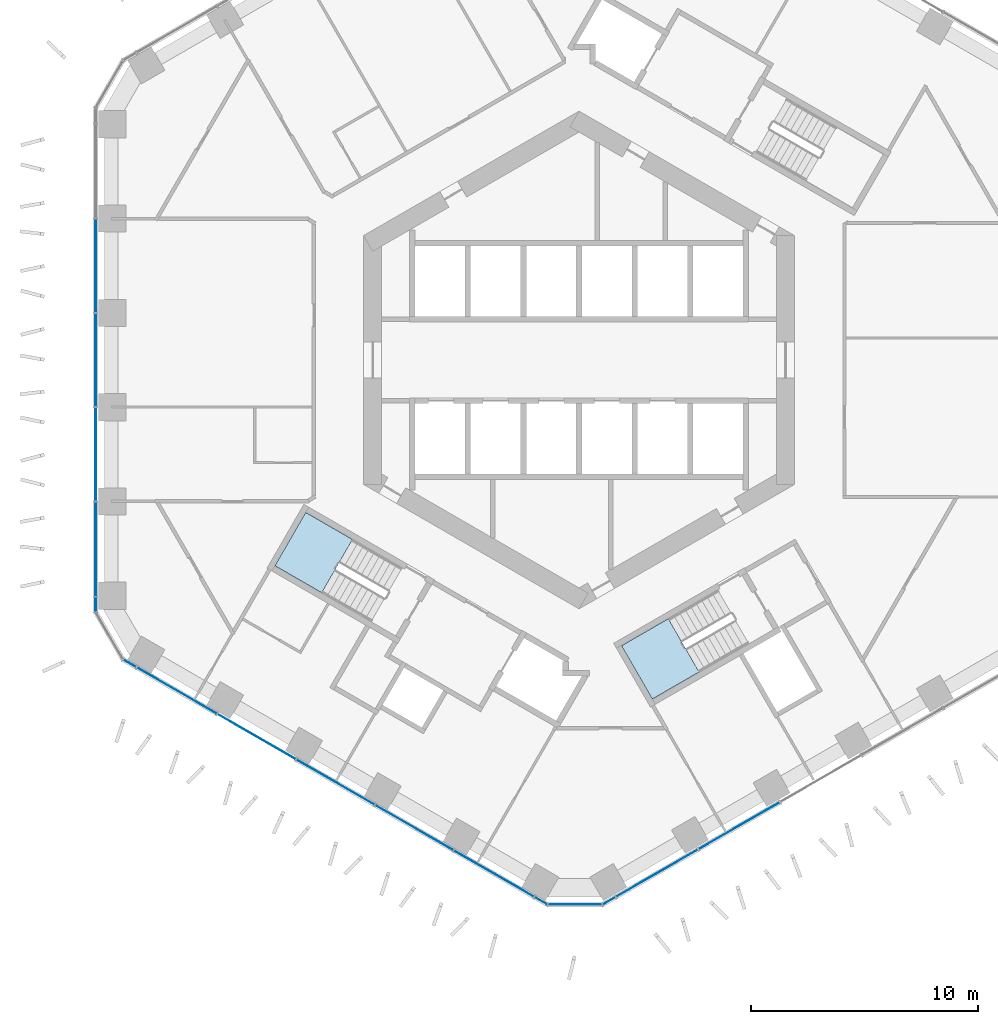
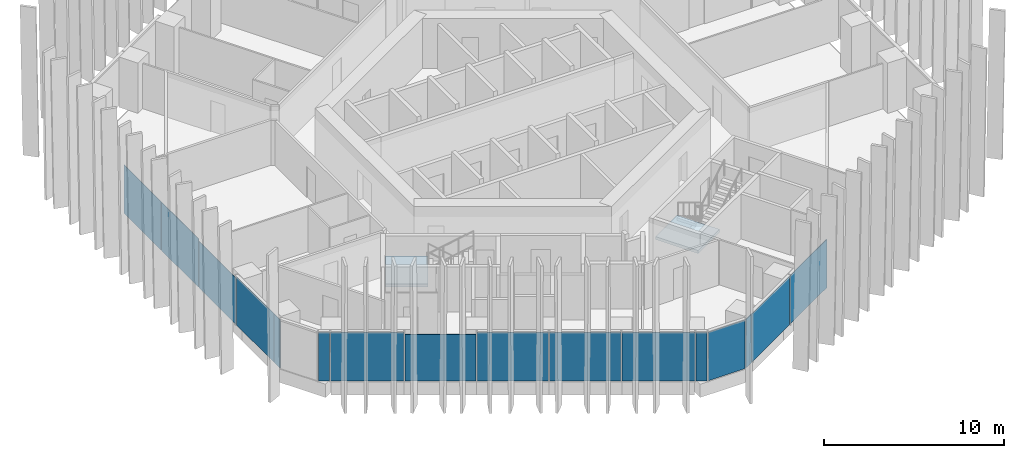
# One storey, part 9 of 20: 16 plates, 2 slabs, 7 elements without a shape of their own.
"""IFC4 building model written with IfcOpenShell, lengths in metres."""

from ifc_helpers import new_model, si_unit, direction, frame, origin, origin_2d, place, context, subcontext, project, spatial, polyline, rectangle, outline, extrude, material, layer, layer_set, type_object, element, aggregate, save


model = new_model("IFC4")

# Units and contexts
model_context = context("Model", 3, precision=1e-05, world=origin(), true_north=direction((0.0, 1.0)))
body_context = subcontext(model_context, "Body", "Model", "MODEL_VIEW")
ifc_project = project(units=[si_unit("LENGTHUNIT", "METRE"), si_unit("AREAUNIT", "SQUARE_METRE"), si_unit("VOLUMEUNIT", "CUBIC_METRE"), si_unit("PLANEANGLEUNIT", "RADIAN"), si_unit("MASSUNIT", "GRAM", prefix="KILO")], contexts=[model_context])

# Site, building, storey
site_placement = place(None, origin())
site = spatial("IfcSite", under=ifc_project, at=site_placement, CompositionType="ELEMENT")
building_placement = place(site_placement, origin())
building = spatial("IfcBuilding", under=site, at=building_placement, Name="Ayvan Gate Tower", CompositionType="ELEMENT")
storey_placement = place(building_placement, frame((0.0, 0.0, 35.699951171875)))
storey = spatial("IfcBuildingStorey", under=building, at=storey_placement, Name="L08", CompositionType="ELEMENT", Elevation=35.699951171875)

# Stair, slab
ifc_material_1 = material(Name="Concrete C40/50", Category="concrete")
stair_type = type_object("IfcStairType", Name="ST-EXIT", PredefinedType="HALF_TURN_STAIR", material=ifc_material_1)
stair_1_placement = place(storey_placement, origin())
stair_1 = element("IfcStair", 1, at=stair_1_placement, inside=storey, type_object=stair_type, Name="L08 Exit Stair S2", PredefinedType="HALF_TURN_STAIR")
ifc_layer_1 = layer(ifc_material_1, 0.199951171875)
ifc_layer_set_1 = layer_set([ifc_layer_1], Name="Concrete C40/50")
slab_type = type_object("IfcSlabType", Name="SL-LANDING-200", PredefinedType="LANDING", material=ifc_layer_set_1)
slab_1_placement = place(storey_placement, frame((0.0, 0.0, 1.5)))
slab_1 = element("IfcSlab", 2, at=slab_1_placement, type_object=slab_type, Name="STS2 landing 1", PredefinedType="LANDING", context=body_context, shape_type="SweptSolid", body=[
    extrude(outline(polyline([(-9.988525390625, -7.91064453125), (-12.049560546875, -6.720458984375), (-13.404541015625, -9.0673828125), (-11.343505859375, -10.257568359375), (-9.988525390625, -7.91064453125)])), origin(), (0.0, 0.0, 1.0), 0.199951171875),
])
aggregate(stair_1, [slab_1])

stair_2_placement = place(storey_placement, origin())
stair_2 = element("IfcStair", 3, at=stair_2_placement, inside=storey, type_object=stair_type, Name="L08 Exit Stair S3", PredefinedType="HALF_TURN_STAIR")
slab_2_placement = place(storey_placement, frame((0.0, 0.0, 1.5)))
slab_2 = element("IfcSlab", 4, at=slab_2_placement, type_object=slab_type, Name="STS3 landing 1", PredefinedType="LANDING", context=body_context, shape_type="SweptSolid", body=[
    extrude(outline(polyline([(3.93505859375, -11.405517578125), (1.873779296875, -12.595458984375), (3.228759765625, -14.9423828125), (5.2900390625, -13.75244140625), (3.93505859375, -11.405517578125)])), origin(), (0.0, 0.0, 1.0), 0.199951171875),
])
aggregate(stair_2, [slab_2])

# Curtain wall, plates
ifc_material_2 = material(Name="Bronze anodised aluminium", Category="aluminium")
ifc_layer_2 = layer(ifc_material_2, 0.199951171875)
ifc_layer_set_2 = layer_set([ifc_layer_2], Name="Bronze anodised aluminium")
curtain_wall_type_1 = type_object("IfcCurtainWallType", Name="Stick curtain wall CW-1", PredefinedType="NOTDEFINED", material=ifc_layer_set_2)
curtain_wall_1_placement = place(storey_placement, origin())
curtain_wall_1 = element("IfcCurtainWall", 5, at=curtain_wall_1_placement, inside=storey, type_object=curtain_wall_type_1, Name="Stick curtain wall CW-1 L08", PredefinedType="NOTDEFINED")
ifc_material_3 = material(Name="Clear low-iron laminated glass", Category="glass")
ifc_layer_3 = layer(ifc_material_3, 0.028076171875)
ifc_layer_set_3 = layer_set([ifc_layer_3], Name="Clear low-iron laminated glass")
plate_type_1 = type_object("IfcPlateType", Name="Stick curtain wall CW-1 glass panel", PredefinedType="CURTAIN_PANEL", material=ifc_layer_set_3)
plate_1_placement = place(storey_placement, frame((-21.306640625, 4.155517578125, 0.0), z_axis=(0.0, 0.0, 1.0), x_axis=(0.0, -1.0, 0.0)))
plate_1 = element("IfcPlate", 6, at=plate_1_placement, type_object=plate_type_1, Name="CW-1 glass panel 2", PredefinedType="CURTAIN_PANEL", context=body_context, shape_type="SweptSolid", body=[
    extrude(rectangle(XDim=4.094970703125, YDim=0.028076171875, at=origin_2d()), origin(), (0.0, 0.0, 1.0), 3.280029296875),
])
plate_2_placement = place(storey_placement, frame((-21.306640625, 0.00048828125, 0.0), z_axis=(0.0, 0.0, 1.0), x_axis=(0.0, -1.0, 0.0)))
plate_2 = element("IfcPlate", 7, at=plate_2_placement, type_object=plate_type_1, Name="CW-1 glass panel 3", PredefinedType="CURTAIN_PANEL", context=body_context, shape_type="SweptSolid", body=[
    extrude(rectangle(XDim=4.094970703125, YDim=0.028076171875, at=origin_2d()), origin(), (0.0, 0.0, 1.0), 3.280029296875),
])
plate_3_placement = place(storey_placement, frame((-21.306640625, -4.155029296875, 0.0), z_axis=(0.0, 0.0, 1.0), x_axis=(0.0, -1.0, 0.0)))
plate_3 = element("IfcPlate", 8, at=plate_3_placement, type_object=plate_type_1, Name="CW-1 glass panel 4", PredefinedType="CURTAIN_PANEL", context=body_context, shape_type="SweptSolid", body=[
    extrude(rectangle(XDim=4.095947265625, YDim=0.028076171875, at=origin_2d()), origin(), (0.0, 0.0, 1.0), 3.14990234375),
])
plate_4_placement = place(storey_placement, frame((-21.306640625, -8.347900390625, 0.0), z_axis=(0.0, 0.0, 1.0), x_axis=(0.0, -1.0, 0.0)))
plate_4 = element("IfcPlate", 9, at=plate_4_placement, type_object=plate_type_1, Name="CW-1 glass panel 5", PredefinedType="CURTAIN_PANEL", context=body_context, shape_type="SweptSolid", body=[
    extrude(rectangle(XDim=4.169677734375, YDim=0.028076171875, at=origin_2d()), origin(), (0.0, 0.0, 1.0), 3.280029296875),
])
aggregate(curtain_wall_1, [plate_1, plate_2, plate_3, plate_4])

curtain_wall_2_placement = place(storey_placement, origin())
curtain_wall_2 = element("IfcCurtainWall", 10, at=curtain_wall_2_placement, inside=storey, type_object=curtain_wall_type_1, Name="Stick curtain wall CW-1 L08", PredefinedType="NOTDEFINED")
plate_5_placement = place(storey_placement, frame((-17.74462890625, -14.5634765625, 0.0), z_axis=(0.0, 0.0, 1.0), x_axis=(0.866025403784, -0.5, 0.0)))
plate_5 = element("IfcPlate", 11, at=plate_5_placement, type_object=plate_type_1, Name="CW-1 glass panel 1", PredefinedType="CURTAIN_PANEL", context=body_context, shape_type="SweptSolid", body=[
    extrude(rectangle(XDim=4.077880859375, YDim=0.028076171875, at=origin_2d()), origin(), (0.0, 0.0, 1.0), 3.280029296875),
])
plate_6_placement = place(storey_placement, frame((-14.216064453125, -16.6005859375, 0.0), z_axis=(0.0, 0.0, 1.0), x_axis=(0.866025403784, -0.5, 0.0)))
plate_6 = element("IfcPlate", 12, at=plate_6_placement, type_object=plate_type_1, Name="CW-1 glass panel 2", PredefinedType="CURTAIN_PANEL", context=body_context, shape_type="SweptSolid", body=[
    extrude(rectangle(XDim=3.950927734375, YDim=0.028076171875, at=origin_2d()), origin(), (0.0, 0.0, 1.0), 3.14990234375),
])
plate_7_placement = place(storey_placement, frame((-10.742431640625, -18.606201171875, 0.0), z_axis=(0.0, 0.0, 1.0), x_axis=(0.866025403784, -0.5, 0.0)))
plate_7 = element("IfcPlate", 13, at=plate_7_placement, type_object=plate_type_1, Name="CW-1 glass panel 3", PredefinedType="CURTAIN_PANEL", context=body_context, shape_type="SweptSolid", body=[
    extrude(rectangle(XDim=3.950927734375, YDim=0.028076171875, at=origin_2d()), origin(), (0.0, 0.0, 1.0), 3.280029296875),
])
plate_8_placement = place(storey_placement, frame((-7.268798828125, -20.61181640625, 0.0), z_axis=(0.0, 0.0, 1.0), x_axis=(0.866025403784, -0.5, 0.0)))
plate_8 = element("IfcPlate", 14, at=plate_8_placement, type_object=plate_type_1, Name="CW-1 glass panel 4", PredefinedType="CURTAIN_PANEL", context=body_context, shape_type="SweptSolid", body=[
    extrude(rectangle(XDim=3.950927734375, YDim=0.028076171875, at=origin_2d()), origin(), (0.0, 0.0, 1.0), 3.280029296875),
])
plate_9_placement = place(storey_placement, frame((-3.739990234375, -22.64892578125, 0.0), z_axis=(0.0, 0.0, 1.0), x_axis=(0.866025403784, -0.5, 0.0)))
plate_9 = element("IfcPlate", 15, at=plate_9_placement, type_object=plate_type_1, Name="CW-1 glass panel 5", PredefinedType="CURTAIN_PANEL", context=body_context, shape_type="SweptSolid", body=[
    extrude(rectangle(XDim=4.078125, YDim=0.028076171875, at=origin_2d()), origin(), (0.0, 0.0, 1.0), 3.280029296875),
])
aggregate(curtain_wall_2, [plate_5, plate_6, plate_7, plate_8, plate_9])

curtain_wall_3_placement = place(storey_placement, origin())
curtain_wall_3 = element("IfcCurtainWall", 16, at=curtain_wall_3_placement, inside=storey, type_object=curtain_wall_type_1, Name="Stick curtain wall CW-1 L08", PredefinedType="NOTDEFINED")
plate_10_placement = place(storey_placement, frame((3.423828125, -22.6259765625, 0.0), z_axis=(0.0, 0.0, 1.0), x_axis=(0.866025403784, 0.5, 0.0)))
plate_10 = element("IfcPlate", 17, at=plate_10_placement, type_object=plate_type_1, Name="CW-1 glass panel 1", PredefinedType="CURTAIN_PANEL", context=body_context, shape_type="SweptSolid", body=[
    extrude(rectangle(XDim=4.169921875, YDim=0.028076171875, at=origin_2d()), origin(), (0.0, 0.0, 1.0), 3.280029296875),
])
plate_11_placement = place(storey_placement, frame((7.0546875, -20.52978515625, 0.0), z_axis=(0.0, 0.0, 1.0), x_axis=(0.866025403784, 0.5, 0.0)))
plate_11 = element("IfcPlate", 18, at=plate_11_placement, type_object=plate_type_1, Name="CW-1 glass panel 2", PredefinedType="CURTAIN_PANEL", context=body_context, shape_type="SweptSolid", body=[
    extrude(rectangle(XDim=4.094970703125, YDim=0.028076171875, at=origin_2d()), origin(), (0.0, 0.0, 1.0), 3.280029296875),
])
aggregate(curtain_wall_3, [plate_10, plate_11])

ifc_layer_4 = layer(ifc_material_2, 0.199951171875)
ifc_layer_set_4 = layer_set([ifc_layer_4], Name="Bronze anodised aluminium")
curtain_wall_type_2 = type_object("IfcCurtainWallType", Name="Stick curtain wall CW-6", PredefinedType="NOTDEFINED", material=ifc_layer_set_4)
curtain_wall_4_placement = place(storey_placement, origin())
curtain_wall_4 = element("IfcCurtainWall", 19, at=curtain_wall_4_placement, inside=storey, type_object=curtain_wall_type_2, Name="Stick curtain wall CW-6 L08", PredefinedType="NOTDEFINED")
ifc_layer_5 = layer(ifc_material_3, 0.028076171875)
ifc_layer_set_5 = layer_set([ifc_layer_5], Name="Clear low-iron laminated glass")
plate_type_2 = type_object("IfcPlateType", Name="Stick curtain wall CW-6 glass panel", PredefinedType="CURTAIN_PANEL", material=ifc_layer_set_5)
plate_12_placement = place(storey_placement, frame((-21.306640625, -10.775390625, 0.0), z_axis=(0.0, 0.0, 1.0), x_axis=(0.0, -1.0, 0.0)))
plate_12 = element("IfcPlate", 20, at=plate_12_placement, type_object=plate_type_2, Name="CW-6 glass panel 1", PredefinedType="CURTAIN_PANEL", context=body_context, shape_type="SweptSolid", body=[
    extrude(rectangle(XDim=0.625, YDim=0.028076171875, at=origin_2d()), origin(), (0.0, 0.0, 1.0), 3.280029296875),
])
plate_13_placement = place(storey_placement, frame((-19.80712890625, -13.372802734375, 0.0), z_axis=(0.0, 0.0, 1.0), x_axis=(0.866025403784, -0.5, 0.0)))
plate_13 = element("IfcPlate", 21, at=plate_13_placement, type_object=plate_type_2, Name="CW-6 glass panel 3", PredefinedType="CURTAIN_PANEL", context=body_context, shape_type="SweptSolid", body=[
    extrude(rectangle(XDim=0.625, YDim=0.028076171875, at=origin_2d()), origin(), (0.0, 0.0, 1.0), 3.280029296875),
])
aggregate(curtain_wall_4, [plate_12, plate_13])

curtain_wall_5_placement = place(storey_placement, origin())
curtain_wall_5 = element("IfcCurtainWall", 22, at=curtain_wall_5_placement, inside=storey, type_object=curtain_wall_type_2, Name="Stick curtain wall CW-6 L08", PredefinedType="NOTDEFINED")
plate_14_placement = place(storey_placement, frame((-1.677490234375, -23.83984375, 0.0), z_axis=(0.0, 0.0, 1.0), x_axis=(0.866025403784, -0.5, 0.0)))
plate_14 = element("IfcPlate", 23, at=plate_14_placement, type_object=plate_type_2, Name="CW-6 glass panel 1", PredefinedType="CURTAIN_PANEL", context=body_context, shape_type="SweptSolid", body=[
    extrude(rectangle(XDim=0.625, YDim=0.028076171875, at=origin_2d()), origin(), (0.0, 0.0, 1.0), 3.280029296875),
])
plate_15_placement = place(storey_placement, frame((-0.177978515625, -24.008544921875, 0.0), z_axis=(0.0, 0.0, 1.0), x_axis=(1.0, 0.0, 0.0)))
plate_15 = element("IfcPlate", 24, at=plate_15_placement, type_object=plate_type_2, Name="CW-6 glass panel 2", PredefinedType="CURTAIN_PANEL", context=body_context, shape_type="SweptSolid", body=[
    extrude(rectangle(XDim=2.364501953125, YDim=0.028076171875, at=origin_2d()), origin(), (0.0, 0.0, 1.0), 3.280029296875),
])
plate_16_placement = place(storey_placement, frame((1.321533203125, -23.83984375, 0.0), z_axis=(0.0, 0.0, 1.0), x_axis=(0.866025403784, 0.5, 0.0)))
plate_16 = element("IfcPlate", 25, at=plate_16_placement, type_object=plate_type_2, Name="CW-6 glass panel 3", PredefinedType="CURTAIN_PANEL", context=body_context, shape_type="SweptSolid", body=[
    extrude(rectangle(XDim=0.625, YDim=0.028076171875, at=origin_2d()), origin(), (0.0, 0.0, 1.0), 3.280029296875),
])
aggregate(curtain_wall_5, [plate_14, plate_15, plate_16])

save(model, "model.ifc")
